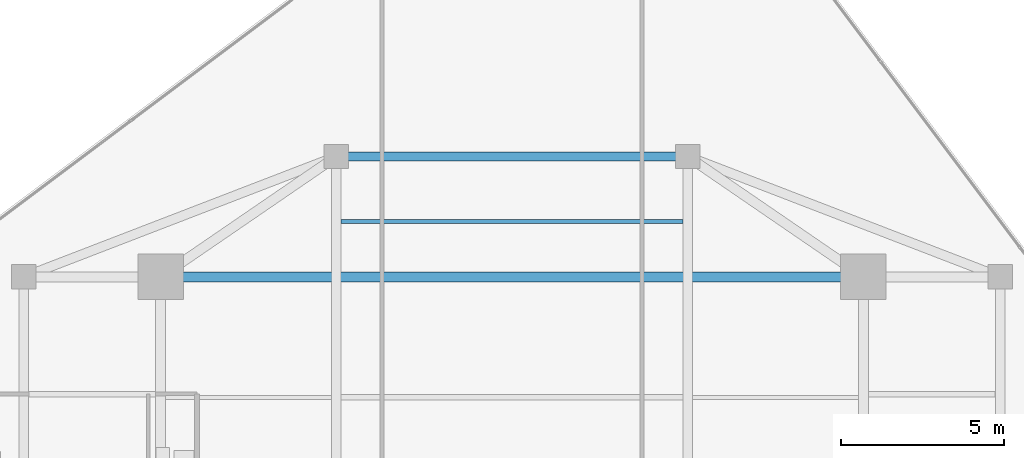
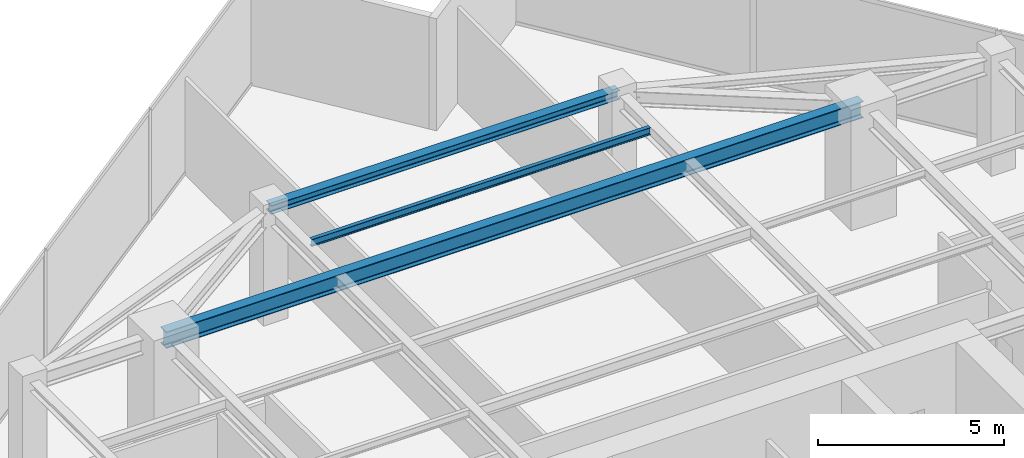
# One storey, part 13 of 21: 3 beams.
"""IFC4 building model written with IfcOpenShell, lengths in metres."""

from ifc_helpers import new_model, si_unit, direction, frame, origin, origin_2d, place, context, subcontext, project, spatial, i_section, extrude, source, transform, mapped, material, material_profile, profile_set, type_object, type_shapes, element, save


model = new_model("IFC4")

# Units and contexts
model_context = context("Model", 3, precision=1e-05, world=origin(), true_north=direction((0.0, 1.0)))
body_context = subcontext(model_context, "Body", "Model", "MODEL_VIEW")
ifc_project = project(units=[si_unit("LENGTHUNIT", "METRE"), si_unit("AREAUNIT", "SQUARE_METRE"), si_unit("VOLUMEUNIT", "CUBIC_METRE"), si_unit("PLANEANGLEUNIT", "RADIAN"), si_unit("MASSUNIT", "GRAM", prefix="KILO")], contexts=[model_context])

# Site, building, storey
site_placement = place(None, origin())
site = spatial("IfcSite", under=ifc_project, at=site_placement, CompositionType="ELEMENT")
building_placement = place(site_placement, origin())
building = spatial("IfcBuilding", under=site, at=building_placement, Name="Krantzveldt Concourse Tower", CompositionType="ELEMENT")
storey_placement = place(building_placement, frame((0.0, 0.0, 267.39990234375)))
storey = spatial("IfcBuildingStorey", under=building, at=storey_placement, Name="L65", CompositionType="ELEMENT", Elevation=267.39990234375)

# Beams
ifc_material = material(Name="Steel S355JR", Category="steel")
ifc_material_profile_1 = material_profile(ifc_material, i_section(OverallWidth=0.300048828125, OverallDepth=0.5400390625, WebThickness=0.012451171875, FlangeThickness=0.02392578125, FilletRadius=0.027099609375, at=origin_2d()), Name="Steel S355JR", Category="steel")
ifc_profile_set_1 = profile_set([ifc_material_profile_1], Name="Steel S355JR - HEA 550")
beam_type_1 = type_object("IfcBeamType", Name="BM-B-HEA550", PredefinedType="BEAM", material=ifc_profile_set_1)
shared_shape_1 = source(origin(), body_context, "Body", "SweptSolid", [
    extrude(i_section(OverallWidth=0.300048828125, OverallDepth=0.5400390625, WebThickness=0.012451171875, FlangeThickness=0.02392578125, FilletRadius=0.027099609375, at=origin_2d()), origin(), (0.0, 0.0, 1.0), 21.60009765625),
])
type_shapes(beam_type_1, [shared_shape_1])
beam_1_placement = place(storey_placement, frame((25.199951171875, 37.5, 3.400146484375), z_axis=(1.0, 0.0, 0.0), x_axis=(0.0, 1.0, 0.0)))
element("IfcBeam", 1, at=beam_1_placement, inside=storey, type_object=beam_type_1, Name="L65 Tower Girder BG-MN", PredefinedType="BEAM", context=body_context, shape_type="MappedRepresentation", body=[
    mapped(shared_shape_1, transform((0.0, 0.0, 0.0), x_axis=(1.0, 0.0, 0.0), y_axis=(0.0, 1.0, 0.0), z_axis=(0.0, 0.0, 1.0), scale=1.0)),
])
ifc_material_profile_2 = material_profile(ifc_material, i_section(OverallWidth=0.2900390625, OverallDepth=0.2900390625, WebThickness=0.008544921875, FlangeThickness=0.013916015625, FilletRadius=0.027099609375, at=origin_2d()), Name="Steel S355JR", Category="steel")
ifc_profile_set_2 = profile_set([ifc_material_profile_2], Name="Steel S355JR - HEA 300")
beam_type_2 = type_object("IfcBeamType", Name="BM-SP-HEA300", PredefinedType="SPANDREL", material=ifc_profile_set_2)
shared_shape_2 = source(origin(), body_context, "Body", "SweptSolid", [
    extrude(i_section(OverallWidth=0.2900390625, OverallDepth=0.2900390625, WebThickness=0.008544921875, FlangeThickness=0.013916015625, FilletRadius=0.027099609375, at=origin_2d()), origin(), (0.0, 0.0, 1.0), 10.7998046875),
])
type_shapes(beam_type_2, [shared_shape_2])
beam_2_placement = place(storey_placement, frame((30.60009765625, 41.199951171875, 3.525146484375), z_axis=(1.0, 0.0, 0.0), x_axis=(0.0, 1.0, 0.0)))
element("IfcBeam", 2, at=beam_2_placement, inside=storey, type_object=beam_type_2, Name="L65 Tower Girder SP-R04", PredefinedType="SPANDREL", context=body_context, shape_type="MappedRepresentation", body=[
    mapped(shared_shape_2, transform((0.0, 0.0, 0.0), x_axis=(1.0, 0.0, 0.0), y_axis=(0.0, 1.0, 0.0), z_axis=(0.0, 0.0, 1.0), scale=1.0)),
])
ifc_material_profile_3 = material_profile(ifc_material, i_section(OverallWidth=0.1201171875, OverallDepth=0.239990234375, WebThickness=0.006103515625, FlangeThickness=0.009765625, FilletRadius=0.014892578125, at=origin_2d()), Name="Steel S355JR", Category="steel")
ifc_profile_set_3 = profile_set([ifc_material_profile_3], Name="Steel S355JR - IPE 240")
beam_type_3 = type_object("IfcBeamType", Name="BM-LN-IPE240", PredefinedType="LINTEL", material=ifc_profile_set_3)
shared_shape_3 = source(origin(), body_context, "Body", "SweptSolid", [
    extrude(i_section(OverallWidth=0.1201171875, OverallDepth=0.239990234375, WebThickness=0.006103515625, FlangeThickness=0.009765625, FilletRadius=0.014892578125, at=origin_2d()), origin(), (0.0, 0.0, 1.0), 10.5),
])
type_shapes(beam_type_3, [shared_shape_3])
beam_3_placement = place(storey_placement, frame((30.75, 39.199951171875, 3.550048828125), z_axis=(1.0, 0.0, 0.0), x_axis=(0.0, 1.0, 0.0)))
element("IfcBeam", 3, at=beam_3_placement, inside=storey, type_object=beam_type_3, Name="L65 Secondary Floor Joist JN-C3", PredefinedType="LINTEL", context=body_context, shape_type="MappedRepresentation", body=[
    mapped(shared_shape_3, transform((0.0, 0.0, 0.0), x_axis=(1.0, 0.0, 0.0), y_axis=(0.0, 1.0, 0.0), z_axis=(0.0, 0.0, 1.0), scale=1.0)),
])

save(model, "model.ifc")
